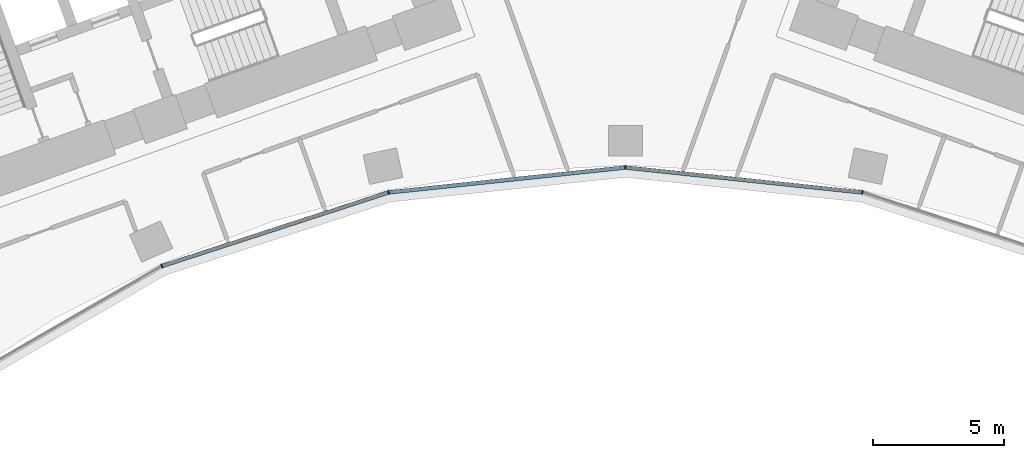
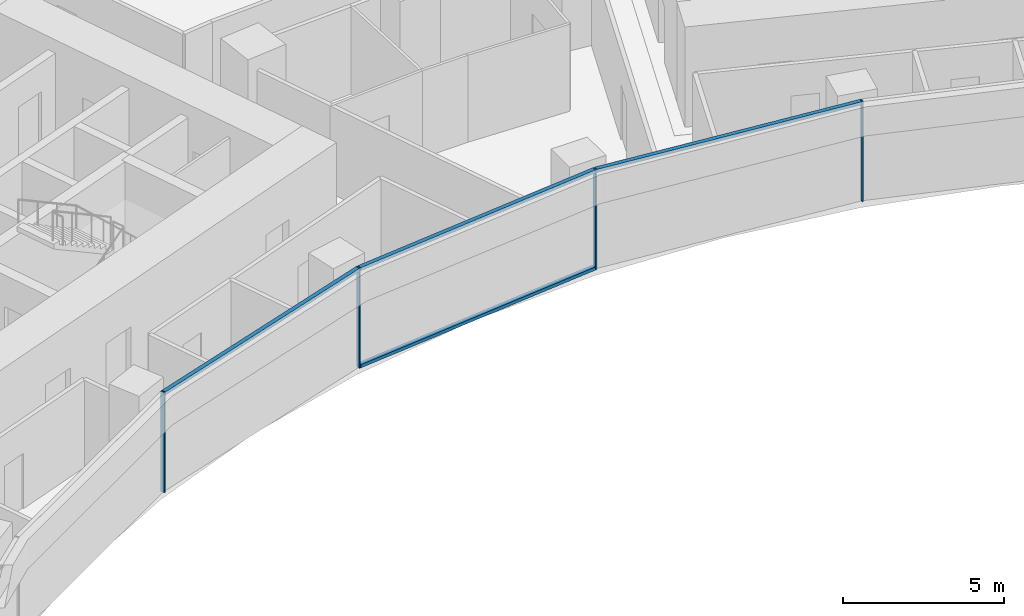
# One storey, part 4 of 22: 8 members, 1 element without a shape of its own.
"""IFC4 building model written with IfcOpenShell, lengths in metres."""

from ifc_helpers import new_model, si_unit, direction, frame, origin, origin_2d, place, context, subcontext, project, spatial, rectangle, extrude, material, layer, layer_set, material_profile, profile_set, type_object, element, aggregate, save


model = new_model("IFC4")

# Units and contexts
model_context = context("Model", 3, precision=1e-05, world=origin(), true_north=direction((0.0, 1.0)))
body_context = subcontext(model_context, "Body", "Model", "MODEL_VIEW")
ifc_project = project(units=[si_unit("LENGTHUNIT", "METRE"), si_unit("AREAUNIT", "SQUARE_METRE"), si_unit("VOLUMEUNIT", "CUBIC_METRE"), si_unit("PLANEANGLEUNIT", "RADIAN"), si_unit("MASSUNIT", "GRAM", prefix="KILO")], contexts=[model_context])

# Site, building, storey
site_placement = place(None, origin())
site = spatial("IfcSite", under=ifc_project, at=site_placement, CompositionType="ELEMENT")
building_placement = place(site_placement, origin())
building = spatial("IfcBuilding", under=site, at=building_placement, Name="Stone Belt Terrace Tower", CompositionType="ELEMENT")
storey_placement = place(building_placement, frame((0.0, 0.0, 132.60009765625)))
storey = spatial("IfcBuildingStorey", under=building, at=storey_placement, Name="L32", CompositionType="ELEMENT", Elevation=132.60009765625)

# Curtain wall, members
ifc_material = material(Name="Aluminium 6063-T6 anodised frame", Category="aluminium")
ifc_layer = layer(ifc_material, 0.14990234375)
ifc_layer_set = layer_set([ifc_layer], Name="CW-B unitised concave-face curtain wall")
curtain_wall_type = type_object("IfcCurtainWallType", Name="CW-B unitised concave-face curtain wall", PredefinedType="NOTDEFINED", material=ifc_layer_set)
curtain_wall_placement = place(storey_placement, origin())
curtain_wall = element("IfcCurtainWall", 1, at=curtain_wall_placement, inside=storey, type_object=curtain_wall_type, Name="CW-B concave face L32", PredefinedType="NOTDEFINED")
ifc_material_profile_1 = material_profile(ifc_material, rectangle(XDim=0.14990234375, YDim=0.050048828125, at=origin_2d()), Name="Aluminium 6063-T6 50x150")
ifc_profile_set_1 = profile_set([ifc_material_profile_1], Name="Aluminium 6063-T6 anodised frame")
member_type_1 = type_object("IfcMemberType", Name="CW-B mullion 50 x 150", PredefinedType="MULLION", material=ifc_profile_set_1)
member_1_placement = place(storey_placement, frame((-17.662353515625, 39.67041015625, 0.0), z_axis=(0.0, 0.0, 1.0), x_axis=(-0.406736643076, 0.913545457643, 0.0)))
member_1 = element("IfcMember", 2, at=member_1_placement, type_object=member_type_1, Name="CW-B mullion 3", PredefinedType="MULLION", context=body_context, shape_type="SweptSolid", body=[
    extrude(rectangle(XDim=0.14990234375, YDim=0.050048828125, at=origin_2d()), origin(), (0.0, 0.0, 1.0), 3.7998046875),
])
member_2_placement = place(storey_placement, frame((-9.028564453125, 42.4755859375, 0.0), z_axis=(0.0, 0.0, 1.0), x_axis=(-0.207911690818, 0.978147600734, 0.0)))
member_2 = element("IfcMember", 3, at=member_2_placement, type_object=member_type_1, Name="CW-B mullion 4", PredefinedType="MULLION", context=body_context, shape_type="SweptSolid", body=[
    extrude(rectangle(XDim=0.14990234375, YDim=0.050048828125, at=origin_2d()), origin(), (0.0, 0.0, 1.0), 3.7998046875),
])
member_3_placement = place(storey_placement, frame((0.0, 43.424560546875, 0.0), z_axis=(0.0, 0.0, 1.0), x_axis=(0.0, 1.0, 0.0)))
member_3 = element("IfcMember", 4, at=member_3_placement, type_object=member_type_1, Name="CW-B mullion 5", PredefinedType="MULLION", context=body_context, shape_type="SweptSolid", body=[
    extrude(rectangle(XDim=0.14990234375, YDim=0.050048828125, at=origin_2d()), origin(), (0.0, 0.0, 1.0), 3.7998046875),
])
member_4_placement = place(storey_placement, frame((9.028564453125, 42.4755859375, 0.0), z_axis=(0.0, 0.0, 1.0), x_axis=(0.207911690818, 0.978147600734, 0.0)))
member_4 = element("IfcMember", 5, at=member_4_placement, type_object=member_type_1, Name="CW-B mullion 6", PredefinedType="MULLION", context=body_context, shape_type="SweptSolid", body=[
    extrude(rectangle(XDim=0.14990234375, YDim=0.050048828125, at=origin_2d()), origin(), (0.0, 0.0, 1.0), 3.7998046875),
])
ifc_material_profile_2 = material_profile(ifc_material, rectangle(XDim=0.14990234375, YDim=0.1201171875, at=origin_2d()), Name="Aluminium 6063-T6 150x120")
ifc_profile_set_2 = profile_set([ifc_material_profile_2], Name="Aluminium 6063-T6 anodised frame")
member_type_2 = type_object("IfcMemberType", Name="CW-B transom 120 x 150", PredefinedType="USERDEFINED", material=ifc_profile_set_2)
member_5_placement = place(storey_placement, frame((-17.63134765625, 39.680419921875, 3.739990234375), z_axis=(0.951055963285, 0.309018696359, 0.0), x_axis=(-0.309018696359, 0.951055963285, 0.0)))
member_5 = element("IfcMember", 6, at=member_5_placement, type_object=member_type_2, Name="CW-B transom 3.1", ObjectType="TRANSOM", PredefinedType="USERDEFINED", context=body_context, shape_type="SweptSolid", body=[
    extrude(rectangle(XDim=0.14990234375, YDim=0.1201171875, at=origin_2d()), origin(), (0.0, 0.0, 1.0), 9.012939453125),
])
member_6_placement = place(storey_placement, frame((-8.995849609375, 42.47900390625, 0.059814453125), z_axis=(0.994521323407, 0.104533904969, 0.0), x_axis=(-0.104533904969, 0.994521323407, 0.0)))
member_6 = element("IfcMember", 7, at=member_6_placement, type_object=member_type_2, Name="CW-B transom 4.1", ObjectType="TRANSOM", PredefinedType="USERDEFINED", context=body_context, shape_type="SweptSolid", body=[
    extrude(rectangle(XDim=0.14990234375, YDim=0.1201171875, at=origin_2d()), origin(), (0.0, 0.0, 1.0), 9.0126953125),
])
member_7_placement = place(storey_placement, frame((-8.995849609375, 42.47900390625, 3.739990234375), z_axis=(0.994521323407, 0.104533904969, 0.0), x_axis=(-0.104533904969, 0.994521323407, 0.0)))
member_7 = element("IfcMember", 8, at=member_7_placement, type_object=member_type_2, Name="CW-B transom 4.2", ObjectType="TRANSOM", PredefinedType="USERDEFINED", context=body_context, shape_type="SweptSolid", body=[
    extrude(rectangle(XDim=0.14990234375, YDim=0.1201171875, at=origin_2d()), origin(), (0.0, 0.0, 1.0), 9.0126953125),
])
member_8_placement = place(storey_placement, frame((0.032470703125, 43.421142578125, 3.739990234375), z_axis=(0.994521323407, -0.104533904969, 0.0), x_axis=(0.104533904969, 0.994521323407, 0.0)))
member_8 = element("IfcMember", 9, at=member_8_placement, type_object=member_type_2, Name="CW-B transom 5.1", ObjectType="TRANSOM", PredefinedType="USERDEFINED", context=body_context, shape_type="SweptSolid", body=[
    extrude(rectangle(XDim=0.14990234375, YDim=0.1201171875, at=origin_2d()), origin(), (0.0, 0.0, 1.0), 9.0126953125),
])
aggregate(curtain_wall, [member_1, member_2, member_3, member_4, member_5, member_6, member_7, member_8])

save(model, "model.ifc")
